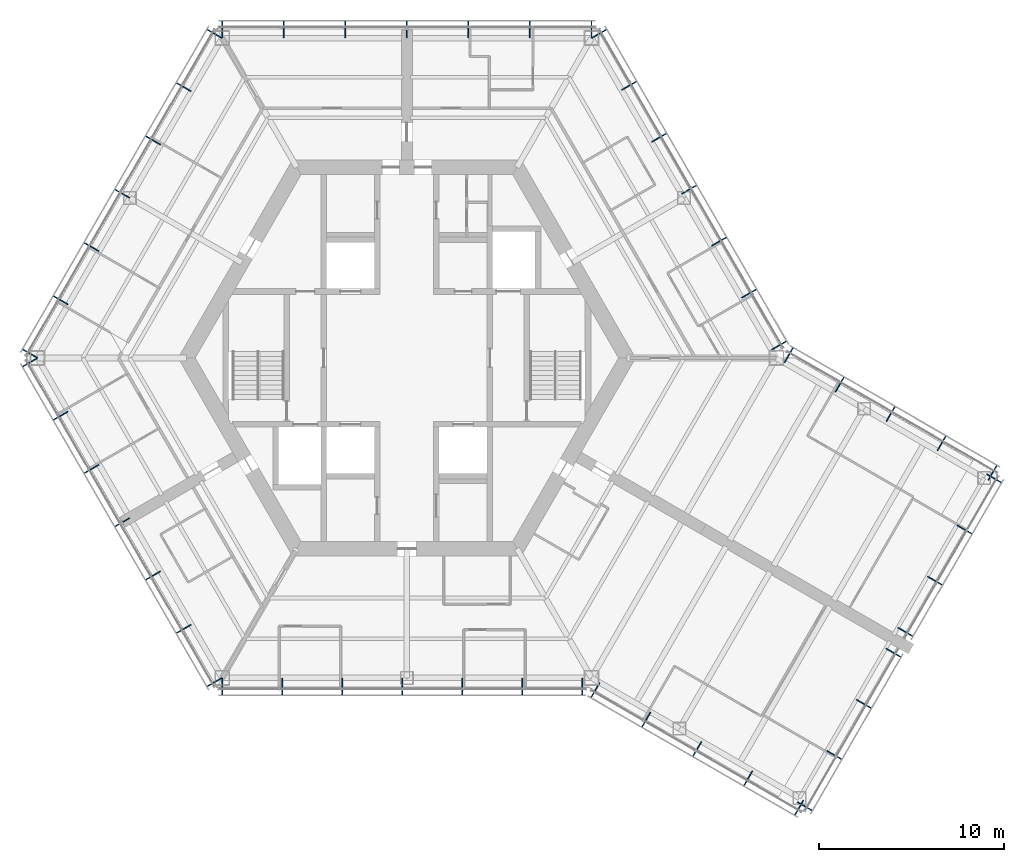
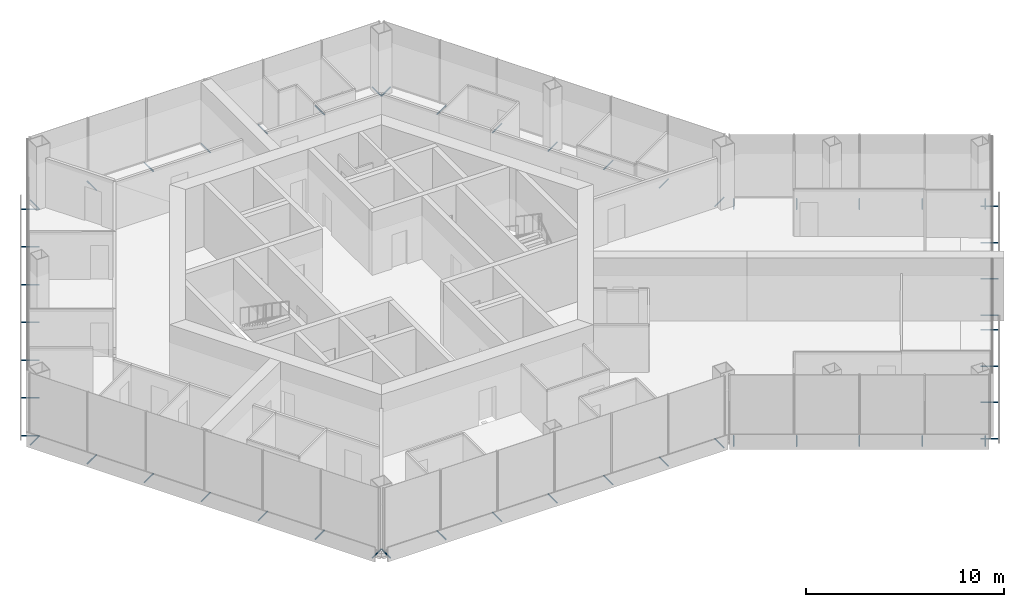
# One storey, part 15 of 17: 53 discrete accessories.
"""IFC4 building model written with IfcOpenShell, lengths in metres."""

import ifcopenshell
import ifcopenshell.guid

model = None  # the IFC model being written
_history = None  # IfcOwnerHistory: only IFC2X3 demands one
_inside = {}  # id of a spatial element -> (the spatial element, [elements in it])
_under = {}  # id of a project, library or spatial element -> (it, [spatial elements below it])
_declared = {}  # id of a project -> (the project, [libraries it declares])
_typed = {}  # id of a type object -> (the type object, [elements of that type])
_made_of = {}  # id of a material, layer set ... -> (it, [elements and type objects made of it])


def new_model(schema):
    """Start an empty IFC model of exactly this schema.

    Asked for "IFC4X3", IfcOpenShell would pick the latest addendum, in which some entities
    have other attributes; the version numbers below select the first issue.
    IFC2X3 requires an IfcOwnerHistory on every rooted entity: one is made here for all.
    """
    global model, _history
    if schema == "IFC4X3":
        model = ifcopenshell.file(schema_version=(4, 3, 0, 0))
    else:
        model = ifcopenshell.file(schema=schema)
    _inside.clear()
    _under.clear()
    _declared.clear()
    _typed.clear()
    _made_of.clear()
    _history = None
    if model.schema == "IFC2X3":
        org = make("IfcOrganization", Name="unknown")
        user = make(
            "IfcPersonAndOrganization",
            ThePerson=make("IfcPerson", FamilyName="unknown"),
            TheOrganization=org,
        )
        app = make(
            "IfcApplication",
            ApplicationDeveloper=org,
            Version="unknown",
            ApplicationFullName="unknown",
            ApplicationIdentifier="unknown",
        )
        _history = make(
            "IfcOwnerHistory",
            OwningUser=user,
            OwningApplication=app,
            ChangeAction="ADDED",
            CreationDate=0,
        )
    return model


def make(cls, **values):
    """One entity of the class cls with the attributes given. An attribute that is None is left unset."""
    return model.create_entity(
        cls, **{name: value for name, value in values.items() if value is not None}
    )


def rooted(cls, **values):
    """An entity with a GlobalId (a new one), such as an element, a storey or a relation."""
    return make(cls, GlobalId=ifcopenshell.guid.new(), OwnerHistory=_history, **values)


def si_unit(unit_type, name, prefix=None):
    """IfcSIUnit, for example si_unit("LENGTHUNIT", "METRE", prefix="MILLI")."""
    return make("IfcSIUnit", UnitType=unit_type, Prefix=prefix, Name=name)


def assignment(units):
    """IfcUnitAssignment: the units of a project."""
    return None if units is None else make("IfcUnitAssignment", Units=units)


def point(xyz):
    """IfcCartesianPoint."""
    return None if xyz is None else make("IfcCartesianPoint", Coordinates=xyz)


def direction(xyz):
    """IfcDirection."""
    return None if xyz is None else make("IfcDirection", DirectionRatios=xyz)


def frame(location, z_axis=None, x_axis=None):
    """IfcAxis2Placement3D, a coordinate frame: its origin and axes. An axis left out is left unset."""
    return make(
        "IfcAxis2Placement3D",
        Location=point(location),
        Axis=direction(z_axis),
        RefDirection=direction(x_axis),
    )


def frame_2d(location, x_axis=None):
    """IfcAxis2Placement2D, a coordinate frame in the plane: its origin and x axis."""
    return make(
        "IfcAxis2Placement2D", Location=point(location), RefDirection=direction(x_axis)
    )


def origin():
    """The frame at (0, 0, 0) with its axes left unset."""
    return frame((0.0, 0.0, 0.0))


def origin_2d():
    """The frame at (0, 0) in the plane with its x axis left unset."""
    return frame_2d((0.0, 0.0))


def place(relative_to, where):
    """IfcLocalPlacement: puts the frame where relative to a parent placement (None: the world)."""
    return make(
        "IfcLocalPlacement", PlacementRelTo=relative_to, RelativePlacement=where
    )


def context(
    kind, dimensions, precision=None, world=None, true_north=None, identifier=None
):
    """IfcGeometricRepresentationContext, for example the 3D "Model" context."""
    return make(
        "IfcGeometricRepresentationContext",
        ContextIdentifier=identifier,
        ContextType=kind,
        CoordinateSpaceDimension=dimensions,
        Precision=precision,
        WorldCoordinateSystem=world,
        TrueNorth=true_north,
    )


def subcontext(parent, identifier, kind, view, scale=None):
    """IfcGeometricRepresentationSubContext, for example "Body" below "Model"."""
    return make(
        "IfcGeometricRepresentationSubContext",
        ContextIdentifier=identifier,
        ContextType=kind,
        ParentContext=parent,
        TargetScale=scale,
        TargetView=view,
    )


def project(units=None, contexts=None):
    """IfcProject with its units and contexts."""
    return rooted(
        "IfcProject",
        Name="project",
        RepresentationContexts=contexts,
        UnitsInContext=assignment(units),
    )


def spatial(cls, under=None, at=None, **own):
    """A site, building, storey or space (cls), placed at a placement, below another one or the project."""
    s = rooted(cls, ObjectPlacement=at, **own)
    if under is not None:
        _under.setdefault(under.id(), (under, []))[1].append(s)
    return s


def profile(cls, at=None, kind="AREA", **sizes):
    """A parametric profile (cls). Its sizes go by their IFC names, for example OverallWidth=200.0."""
    return make(cls, ProfileType=kind, Position=at, **sizes)


def hollow_circle(**sizes):
    """IfcCircleHollowProfileDef."""
    return profile("IfcCircleHollowProfileDef", **sizes)


def extrude(swept, where, along, depth):
    """IfcExtrudedAreaSolid: the profile swept, set in the frame where, extruded along a direction by depth."""
    return make(
        "IfcExtrudedAreaSolid",
        SweptArea=swept,
        Position=where,
        ExtrudedDirection=direction(along),
        Depth=depth,
    )


def shape(context_of_items, identifier, shape_type, items):
    """IfcShapeRepresentation: the items that make up one representation, for example the "Body"."""
    return make(
        "IfcShapeRepresentation",
        ContextOfItems=context_of_items,
        RepresentationIdentifier=identifier,
        RepresentationType=shape_type,
        Items=items,
    )


def material(Name=None, Category=None):
    """IfcMaterial."""
    return make("IfcMaterial", Name=Name, Category=Category)


def material_profile(
    of_material, cross_section, Name=None, Category=None, Priority=None
):
    """IfcMaterialProfile: a cross section and its material."""
    return make(
        "IfcMaterialProfile",
        Name=Name,
        Material=of_material,
        Profile=cross_section,
        Priority=Priority,
        Category=Category,
    )


def profile_set(profiles, Name=None, composite=None):
    """IfcMaterialProfileSet."""
    return make(
        "IfcMaterialProfileSet",
        Name=Name,
        MaterialProfiles=profiles,
        CompositeProfile=composite,
    )


def made_of(thing, what):
    """Note that an element or type object is made of a material, layer set ...; save() writes the relation."""
    if what is not None:
        _made_of.setdefault(what.id(), (what, []))[1].append(thing)
    return thing


def type_object(cls, material=None, **own):
    """A type object (cls), such as IfcWallType, which elements share."""
    return made_of(rooted(cls, **own), material)


def element(
    cls,
    number,
    at=None,
    inside=None,
    cuts=None,
    type_object=None,
    material=None,
    context=None,
    identifier="Body",
    shape_type=None,
    held_by="IfcProductDefinitionShape",
    body=None,
    shapes=None,
    **own,
):
    """One element of the class cls, such as IfcWall. Its Tag is "e" and its number.

    at: its placement. inside: the storey or other place that contains it. cuts: it is an
    opening in that element (IfcRelVoidsElement). A single representation is given by context,
    identifier, shape_type and body (its items); several are given by shapes. held_by: the class
    of the entity that holds the representations. save() writes the other relations.
    """
    e = rooted(cls, Tag="e%d" % number, ObjectPlacement=at, **own)
    if body is not None:
        shapes = [shape(context, identifier, shape_type, body)]
    if shapes is not None:
        e.Representation = make(held_by, Representations=shapes)
    if inside is not None:
        _inside.setdefault(inside.id(), (inside, []))[1].append(e)
    if cuts is not None:
        rooted(
            "IfcRelVoidsElement", RelatingBuildingElement=cuts, RelatedOpeningElement=e
        )
    if type_object is not None:
        _typed.setdefault(type_object.id(), (type_object, []))[1].append(e)
    return made_of(e, material)


def aggregate(whole, parts):
    """IfcRelAggregates: a whole, such as a stair, and the parts it consists of."""
    return rooted("IfcRelAggregates", RelatingObject=whole, RelatedObjects=parts)


def save(model, path):
    """Write the relations noted so far, then the file.

    IfcRelAggregates (storeys below a building ...), IfcRelContainedInSpatialStructure (elements
    in a storey), IfcRelDefinesByType, IfcRelAssociatesMaterial and IfcRelDeclares: one each for
    every whole, place, type object, material and project.
    """
    for whole, parts in _under.values():
        aggregate(whole, parts)
    for where, things in _inside.values():
        rooted(
            "IfcRelContainedInSpatialStructure",
            RelatedElements=things,
            RelatingStructure=where,
        )
    for kind, things in _typed.values():
        rooted("IfcRelDefinesByType", RelatedObjects=things, RelatingType=kind)
    for what, things in _made_of.values():
        rooted("IfcRelAssociatesMaterial", RelatedObjects=things, RelatingMaterial=what)
    for by, libraries in _declared.values():
        rooted("IfcRelDeclares", RelatingContext=by, RelatedDefinitions=libraries)
    model.write(path)


model = new_model("IFC4")

# Units and contexts
model_context = context("Model", 3, precision=1e-05, world=origin(), true_north=direction((0.0, 1.0)))
body_context = subcontext(model_context, "Body", "Model", "MODEL_VIEW")
ifc_project = project(units=[si_unit("LENGTHUNIT", "METRE"), si_unit("AREAUNIT", "SQUARE_METRE"), si_unit("VOLUMEUNIT", "CUBIC_METRE"), si_unit("PLANEANGLEUNIT", "RADIAN"), si_unit("MASSUNIT", "GRAM", prefix="KILO")], contexts=[model_context])

# Site, building, storey
site_placement = place(None, origin())
site = spatial("IfcSite", under=ifc_project, at=site_placement, CompositionType="ELEMENT")
building_placement = place(site_placement, origin())
building = spatial("IfcBuilding", under=site, at=building_placement, Name="Kasaneha Research Tower", CompositionType="ELEMENT")
storey_placement = place(building_placement, frame((0.0, 0.0, 228.39990234375)))
storey = spatial("IfcBuildingStorey", under=building, at=storey_placement, Name="L57", CompositionType="ELEMENT", Elevation=228.39990234375)

# Discrete accessories
ifc_material = material(Name="Steel STK400", Category="steel")
ifc_material_profile = material_profile(ifc_material, hollow_circle(Radius=0.0380859375, WallThickness=0.00390625, at=origin_2d()), Name="CHS-76.3x4.0")
ifc_profile_set = profile_set([ifc_material_profile], Name="Steel STK400")
discrete_accessory_type = type_object("IfcDiscreteAccessoryType", Name="Screen bracket CHS-76.3x4.0", PredefinedType="BRACKET", material=ifc_profile_set)
for number, where, z_axis, x_axis, name in (
    (1, (19.74462890625, 0.4423828125, -0.2998046875), (0.866013213425, 0.500021113727, 0.0), (-0.500021113727, 0.866013213425, 0.0), "Screen bracket 1"),
    (2, (18.120849609375, 3.2548828125, -0.2998046875), (0.866013213425, 0.500021113727, 0.0), (-0.500021113727, 0.866013213425, 0.0), "Screen bracket 2"),
    (3, (16.4970703125, 6.0673828125, -0.2998046875), (0.866013213425, 0.500021113727, 0.0), (-0.500021113727, 0.866013213425, 0.0), "Screen bracket 3"),
    (4, (14.873291015625, 8.8798828125, -0.2998046875), (0.866013213425, 0.500021113727, 0.0), (-0.500021113727, 0.866013213425, 0.0), "Screen bracket 4"),
    (5, (13.24951171875, 11.6923828125, -0.2998046875), (0.866013213425, 0.500021113727, 0.0), (-0.500021113727, 0.866013213425, 0.0), "Screen bracket 5"),
):
    element("IfcDiscreteAccessory", number, at=place(storey_placement, frame(where, z_axis=z_axis, x_axis=x_axis)), inside=storey, type_object=discrete_accessory_type, Name=name, PredefinedType="BRACKET", context=body_context, shape_type="SweptSolid", body=[
        extrude(hollow_circle(Radius=0.0380859375, WallThickness=0.00390625, at=origin_2d()), origin(), (0.0, 0.0, 1.0), 0.919921875),
    ])
for number, where, z_axis, x_axis, name in (
    (6, (11.62548828125, 14.5048828125, -0.2998046875), (0.866079547155, 0.499906209203, 0.0), (-0.499906209203, 0.866079547155, 0.0), "Screen bracket 6"),
    (7, (10.001708984375, 17.3173828125, -0.2998046875), (0.866079547155, 0.499906209203, 0.0), (-0.499906209203, 0.866079547155, 0.0), "Screen bracket 7"),
):
    element("IfcDiscreteAccessory", number, at=place(storey_placement, frame(where, z_axis=z_axis, x_axis=x_axis)), inside=storey, type_object=discrete_accessory_type, Name=name, PredefinedType="BRACKET", context=body_context, shape_type="SweptSolid", body=[
        extrude(hollow_circle(Radius=0.0380859375, WallThickness=0.00390625, at=origin_2d()), origin(), (0.0, 0.0, 1.0), 0.920166015625),
    ])
for number, where, z_axis, x_axis, name in (
    (8, (9.996337890625, 17.320556640625, -0.2998046875), (0.0, 1.0, 0.0), (-1.0, 0.0, 0.0), "Screen bracket 1"),
    (9, (6.664306640625, 17.320556640625, -0.2998046875), (0.0, 1.0, 0.0), (-1.0, 0.0, 0.0), "Screen bracket 2"),
    (10, (3.33203125, 17.320556640625, -0.2998046875), (0.0, 1.0, 0.0), (-1.0, 0.0, 0.0), "Screen bracket 3"),
    (11, (0.0, 17.320556640625, -0.2998046875), (0.0, 1.0, 0.0), (-1.0, 0.0, 0.0), "Screen bracket 4"),
    (12, (-3.33203125, 17.320556640625, -0.2998046875), (0.0, 1.0, 0.0), (-1.0, 0.0, 0.0), "Screen bracket 5"),
    (13, (-6.664306640625, 17.320556640625, -0.2998046875), (0.0, 1.0, 0.0), (-1.0, 0.0, 0.0), "Screen bracket 6"),
    (14, (-9.996337890625, 17.320556640625, -0.2998046875), (0.0, 1.0, 0.0), (-1.0, 0.0, 0.0), "Screen bracket 7"),
):
    element("IfcDiscreteAccessory", number, at=place(storey_placement, frame(where, z_axis=z_axis, x_axis=x_axis)), inside=storey, type_object=discrete_accessory_type, Name=name, PredefinedType="BRACKET", context=body_context, shape_type="SweptSolid", body=[
        extrude(hollow_circle(Radius=0.0380859375, WallThickness=0.00390625, at=origin_2d()), origin(), (0.0, 0.0, 1.0), 0.919921875),
    ])
discrete_accessory_1_placement = place(storey_placement, frame((-10.001708984375, 17.3173828125, -0.2998046875), z_axis=(-0.866079547155, 0.499906209203, 0.0), x_axis=(-0.499906209203, -0.866079547155, 0.0)))
element("IfcDiscreteAccessory", 15, at=discrete_accessory_1_placement, inside=storey, type_object=discrete_accessory_type, Name="Screen bracket 1", PredefinedType="BRACKET", context=body_context, shape_type="SweptSolid", body=[
    extrude(hollow_circle(Radius=0.0380859375, WallThickness=0.00390625, at=origin_2d()), origin(), (0.0, 0.0, 1.0), 0.920166015625),
])
for number, where, z_axis, x_axis, name in (
    (16, (-11.66796875, 14.431640625, -0.2998046875), (-0.866013213425, 0.500021113727, 0.0), (-0.500021113727, -0.866013213425, 0.0), "Screen bracket 2"),
    (17, (-13.333984375, 11.5458984375, -0.2998046875), (-0.866013213425, 0.500021113727, 0.0), (-0.500021113727, -0.866013213425, 0.0), "Screen bracket 3"),
    (18, (-15.0, 8.66015625, -0.2998046875), (-0.865898279276, 0.500220121494, 0.0), (-0.500220121494, -0.865898279276, 0.0), "Screen bracket 4"),
):
    element("IfcDiscreteAccessory", number, at=place(storey_placement, frame(where, z_axis=z_axis, x_axis=x_axis)), inside=storey, type_object=discrete_accessory_type, Name=name, PredefinedType="BRACKET", context=body_context, shape_type="SweptSolid", body=[
        extrude(hollow_circle(Radius=0.0380859375, WallThickness=0.00390625, at=origin_2d()), origin(), (0.0, 0.0, 1.0), 0.919921875),
    ])
for number, where, z_axis, x_axis, name in (
    (19, (-16.666015625, 5.774658203125, -0.2998046875), (-0.866079547155, 0.499906209203, 0.0), (-0.499906209203, -0.866079547155, 0.0), "Screen bracket 5"),
    (20, (-18.33203125, 2.888916015625, -0.2998046875), (-0.866079547155, 0.499906209203, 0.0), (-0.499906209203, -0.866079547155, 0.0), "Screen bracket 6"),
):
    element("IfcDiscreteAccessory", number, at=place(storey_placement, frame(where, z_axis=z_axis, x_axis=x_axis)), inside=storey, type_object=discrete_accessory_type, Name=name, PredefinedType="BRACKET", context=body_context, shape_type="SweptSolid", body=[
        extrude(hollow_circle(Radius=0.0380859375, WallThickness=0.00390625, at=origin_2d()), origin(), (0.0, 0.0, 1.0), 0.920166015625),
    ])
for number, where, z_axis, x_axis, name in (
    (21, (-19.998291015625, 0.003173828125, -0.2998046875), (-0.866013213425, 0.500021113727, 0.0), (-0.500021113727, -0.866013213425, 0.0), "Screen bracket 7"),
    (22, (-19.998291015625, -0.003173828125, -0.2998046875), (-0.866013213425, -0.500021113727, 0.0), (0.500021113727, -0.866013213425, 0.0), "Screen bracket 1"),
):
    element("IfcDiscreteAccessory", number, at=place(storey_placement, frame(where, z_axis=z_axis, x_axis=x_axis)), inside=storey, type_object=discrete_accessory_type, Name=name, PredefinedType="BRACKET", context=body_context, shape_type="SweptSolid", body=[
        extrude(hollow_circle(Radius=0.0380859375, WallThickness=0.00390625, at=origin_2d()), origin(), (0.0, 0.0, 1.0), 0.919921875),
    ])
for number, where, z_axis, x_axis, name in (
    (23, (-18.33203125, -2.888916015625, -0.2998046875), (-0.866079547155, -0.499906209203, 0.0), (0.499906209203, -0.866079547155, 0.0), "Screen bracket 2"),
    (24, (-16.666015625, -5.774658203125, -0.2998046875), (-0.866079547155, -0.499906209203, 0.0), (0.499906209203, -0.866079547155, 0.0), "Screen bracket 3"),
):
    element("IfcDiscreteAccessory", number, at=place(storey_placement, frame(where, z_axis=z_axis, x_axis=x_axis)), inside=storey, type_object=discrete_accessory_type, Name=name, PredefinedType="BRACKET", context=body_context, shape_type="SweptSolid", body=[
        extrude(hollow_circle(Radius=0.0380859375, WallThickness=0.00390625, at=origin_2d()), origin(), (0.0, 0.0, 1.0), 0.920166015625),
    ])
for number, where, z_axis, x_axis, name in (
    (25, (-15.0, -8.66015625, -0.2998046875), (-0.865898279276, -0.500220121494, 0.0), (0.500220121494, -0.865898279276, 0.0), "Screen bracket 4"),
    (26, (-13.333984375, -11.5458984375, -0.2998046875), (-0.866013213425, -0.500021113727, 0.0), (0.500021113727, -0.866013213425, 0.0), "Screen bracket 5"),
    (27, (-11.66796875, -14.431640625, -0.2998046875), (-0.866013213425, -0.500021113727, 0.0), (0.500021113727, -0.866013213425, 0.0), "Screen bracket 6"),
):
    element("IfcDiscreteAccessory", number, at=place(storey_placement, frame(where, z_axis=z_axis, x_axis=x_axis)), inside=storey, type_object=discrete_accessory_type, Name=name, PredefinedType="BRACKET", context=body_context, shape_type="SweptSolid", body=[
        extrude(hollow_circle(Radius=0.0380859375, WallThickness=0.00390625, at=origin_2d()), origin(), (0.0, 0.0, 1.0), 0.919921875),
    ])
discrete_accessory_2_placement = place(storey_placement, frame((-10.001708984375, -17.3173828125, -0.2998046875), z_axis=(-0.866079547155, -0.499906209203, 0.0), x_axis=(0.499906209203, -0.866079547155, 0.0)))
element("IfcDiscreteAccessory", 28, at=discrete_accessory_2_placement, inside=storey, type_object=discrete_accessory_type, Name="Screen bracket 7", PredefinedType="BRACKET", context=body_context, shape_type="SweptSolid", body=[
    extrude(hollow_circle(Radius=0.0380859375, WallThickness=0.00390625, at=origin_2d()), origin(), (0.0, 0.0, 1.0), 0.920166015625),
])
for number, where, z_axis, x_axis, name in (
    (29, (-9.996337890625, -17.320556640625, -0.2998046875), (0.0, -1.0, 0.0), (1.0, 0.0, 0.0), "Screen bracket 1"),
    (30, (-6.748779296875, -17.320556640625, -0.2998046875), (0.0, -1.0, 0.0), (1.0, 0.0, 0.0), "Screen bracket 2"),
    (31, (-3.501220703125, -17.320556640625, -0.2998046875), (0.0, -1.0, 0.0), (1.0, 0.0, 0.0), "Screen bracket 3"),
    (32, (-0.253662109375, -17.320556640625, -0.2998046875), (0.0, -1.0, 0.0), (1.0, 0.0, 0.0), "Screen bracket 4"),
    (33, (2.993896484375, -17.320556640625, -0.2998046875), (0.0, -1.0, 0.0), (1.0, 0.0, 0.0), "Screen bracket 5"),
    (34, (6.24169921875, -17.320556640625, -0.2998046875), (0.0, -1.0, 0.0), (1.0, 0.0, 0.0), "Screen bracket 6"),
    (35, (9.4892578125, -17.320556640625, -0.2998046875), (0.0, -1.0, 0.0), (1.0, 0.0, 0.0), "Screen bracket 7"),
    (36, (10.4423828125, -17.575927734375, -0.2998046875), (-0.500021113727, -0.866013213425, 0.0), (0.866013213425, -0.500021113727, 0.0), "Screen bracket 1"),
):
    element("IfcDiscreteAccessory", number, at=place(storey_placement, frame(where, z_axis=z_axis, x_axis=x_axis)), inside=storey, type_object=discrete_accessory_type, Name=name, PredefinedType="BRACKET", context=body_context, shape_type="SweptSolid", body=[
        extrude(hollow_circle(Radius=0.0380859375, WallThickness=0.00390625, at=origin_2d()), origin(), (0.0, 0.0, 1.0), 0.919921875),
    ])
discrete_accessory_3_placement = place(storey_placement, frame((13.200439453125, -19.168212890625, -0.2998046875), z_axis=(-0.499906209203, -0.866079547155, 0.0), x_axis=(0.866079547155, -0.499906209203, 0.0)))
element("IfcDiscreteAccessory", 37, at=discrete_accessory_3_placement, inside=storey, type_object=discrete_accessory_type, Name="Screen bracket 2", PredefinedType="BRACKET", context=body_context, shape_type="SweptSolid", body=[
    extrude(hollow_circle(Radius=0.0380859375, WallThickness=0.00390625, at=origin_2d()), origin(), (0.0, 0.0, 1.0), 0.920166015625),
])
discrete_accessory_4_placement = place(storey_placement, frame((15.95849609375, -20.7607421875, -0.2998046875), z_axis=(-0.500021113727, -0.866013213425, 0.0), x_axis=(0.866013213425, -0.500021113727, 0.0)))
element("IfcDiscreteAccessory", 38, at=discrete_accessory_4_placement, inside=storey, type_object=discrete_accessory_type, Name="Screen bracket 3", PredefinedType="BRACKET", context=body_context, shape_type="SweptSolid", body=[
    extrude(hollow_circle(Radius=0.0380859375, WallThickness=0.00390625, at=origin_2d()), origin(), (0.0, 0.0, 1.0), 0.919921875),
])
discrete_accessory_5_placement = place(storey_placement, frame((18.716796875, -22.35302734375, -0.2998046875), z_axis=(-0.500105201737, -0.865964657013, 0.0), x_axis=(0.865964657013, -0.500105201737, 0.0)))
element("IfcDiscreteAccessory", 39, at=discrete_accessory_5_placement, inside=storey, type_object=discrete_accessory_type, Name="Screen bracket 4", PredefinedType="BRACKET", context=body_context, shape_type="SweptSolid", body=[
    extrude(hollow_circle(Radius=0.0380859375, WallThickness=0.00390625, at=origin_2d()), origin(), (0.0, 0.0, 1.0), 0.920166015625),
])
discrete_accessory_6_placement = place(storey_placement, frame((21.474853515625, -23.945556640625, -0.2998046875), z_axis=(-0.500021113727, -0.866013213425, 0.0), x_axis=(0.866013213425, -0.500021113727, 0.0)))
element("IfcDiscreteAccessory", 40, at=discrete_accessory_6_placement, inside=storey, type_object=discrete_accessory_type, Name="Screen bracket 5", PredefinedType="BRACKET", context=body_context, shape_type="SweptSolid", body=[
    extrude(hollow_circle(Radius=0.0380859375, WallThickness=0.00390625, at=origin_2d()), origin(), (0.0, 0.0, 1.0), 0.919921875),
])
discrete_accessory_7_placement = place(storey_placement, frame((21.13330078125, -24.037109375, -0.2998046875), z_axis=(0.866079547155, -0.499906209203, 0.0), x_axis=(0.499906209203, 0.866079547155, 0.0)))
element("IfcDiscreteAccessory", 41, at=discrete_accessory_7_placement, inside=storey, type_object=discrete_accessory_type, Name="Screen bracket 1", PredefinedType="BRACKET", context=body_context, shape_type="SweptSolid", body=[
    extrude(hollow_circle(Radius=0.0380859375, WallThickness=0.00390625, at=origin_2d()), origin(), (0.0, 0.0, 1.0), 0.920166015625),
])
discrete_accessory_8_placement = place(storey_placement, frame((22.7333984375, -21.265625, -0.2998046875), z_axis=(0.865898279276, -0.500220121494, 0.0), x_axis=(0.500220121494, 0.865898279276, 0.0)))
element("IfcDiscreteAccessory", 42, at=discrete_accessory_8_placement, inside=storey, type_object=discrete_accessory_type, Name="Screen bracket 2", PredefinedType="BRACKET", context=body_context, shape_type="SweptSolid", body=[
    extrude(hollow_circle(Radius=0.0380859375, WallThickness=0.00390625, at=origin_2d()), origin(), (0.0, 0.0, 1.0), 0.919921875),
])
discrete_accessory_9_placement = place(storey_placement, frame((24.333251953125, -18.494384765625, -0.2998046875), z_axis=(0.866079547155, -0.499906209203, 0.0), x_axis=(0.499906209203, 0.866079547155, 0.0)))
element("IfcDiscreteAccessory", 43, at=discrete_accessory_9_placement, inside=storey, type_object=discrete_accessory_type, Name="Screen bracket 3", PredefinedType="BRACKET", context=body_context, shape_type="SweptSolid", body=[
    extrude(hollow_circle(Radius=0.0380859375, WallThickness=0.00390625, at=origin_2d()), origin(), (0.0, 0.0, 1.0), 0.920166015625),
])
discrete_accessory_10_placement = place(storey_placement, frame((25.933349609375, -15.72314453125, -0.2998046875), z_axis=(0.866013213425, -0.500021113727, 0.0), x_axis=(0.500021113727, 0.866013213425, 0.0)))
element("IfcDiscreteAccessory", 44, at=discrete_accessory_10_placement, inside=storey, type_object=discrete_accessory_type, Name="Screen bracket 4", PredefinedType="BRACKET", context=body_context, shape_type="SweptSolid", body=[
    extrude(hollow_circle(Radius=0.0380859375, WallThickness=0.00390625, at=origin_2d()), origin(), (0.0, 0.0, 1.0), 0.919921875),
])
discrete_accessory_11_placement = place(storey_placement, frame((26.583251953125, -14.597412109375, -0.2998046875), z_axis=(0.866079547155, -0.499906209203, 0.0), x_axis=(0.499906209203, 0.866079547155, 0.0)))
element("IfcDiscreteAccessory", 45, at=discrete_accessory_11_placement, inside=storey, type_object=discrete_accessory_type, Name="Screen bracket 1", PredefinedType="BRACKET", context=body_context, shape_type="SweptSolid", body=[
    extrude(hollow_circle(Radius=0.0380859375, WallThickness=0.00390625, at=origin_2d()), origin(), (0.0, 0.0, 1.0), 0.920166015625),
])
for number, where, z_axis, x_axis, name in (
    (46, (28.183349609375, -11.826171875, -0.2998046875), (0.866013213425, -0.500021113727, 0.0), (0.500021113727, 0.866013213425, 0.0), "Screen bracket 2"),
    (47, (29.783447265625, -9.0546875, -0.2998046875), (0.865898279276, -0.500220121494, 0.0), (0.500220121494, 0.865898279276, 0.0), "Screen bracket 3"),
):
    element("IfcDiscreteAccessory", number, at=place(storey_placement, frame(where, z_axis=z_axis, x_axis=x_axis)), inside=storey, type_object=discrete_accessory_type, Name=name, PredefinedType="BRACKET", context=body_context, shape_type="SweptSolid", body=[
        extrude(hollow_circle(Radius=0.0380859375, WallThickness=0.00390625, at=origin_2d()), origin(), (0.0, 0.0, 1.0), 0.919921875),
    ])
discrete_accessory_12_placement = place(storey_placement, frame((31.38330078125, -6.283447265625, -0.2998046875), z_axis=(0.866079547155, -0.499906209203, 0.0), x_axis=(0.499906209203, 0.866079547155, 0.0)))
element("IfcDiscreteAccessory", 48, at=discrete_accessory_12_placement, inside=storey, type_object=discrete_accessory_type, Name="Screen bracket 4", PredefinedType="BRACKET", context=body_context, shape_type="SweptSolid", body=[
    extrude(hollow_circle(Radius=0.0380859375, WallThickness=0.00390625, at=origin_2d()), origin(), (0.0, 0.0, 1.0), 0.920166015625),
])
discrete_accessory_13_placement = place(storey_placement, frame((31.474853515625, -6.625, -0.2998046875), z_axis=(0.500021113727, 0.866013213425, 0.0), x_axis=(-0.866013213425, 0.500021113727, 0.0)))
element("IfcDiscreteAccessory", 49, at=discrete_accessory_13_placement, inside=storey, type_object=discrete_accessory_type, Name="Screen bracket 1", PredefinedType="BRACKET", context=body_context, shape_type="SweptSolid", body=[
    extrude(hollow_circle(Radius=0.0380859375, WallThickness=0.00390625, at=origin_2d()), origin(), (0.0, 0.0, 1.0), 0.919921875),
])
discrete_accessory_14_placement = place(storey_placement, frame((28.716796875, -5.03271484375, -0.2998046875), z_axis=(0.499906209203, 0.866079547155, 0.0), x_axis=(-0.866079547155, 0.499906209203, 0.0)))
element("IfcDiscreteAccessory", 50, at=discrete_accessory_14_placement, inside=storey, type_object=discrete_accessory_type, Name="Screen bracket 2", PredefinedType="BRACKET", context=body_context, shape_type="SweptSolid", body=[
    extrude(hollow_circle(Radius=0.0380859375, WallThickness=0.00390625, at=origin_2d()), origin(), (0.0, 0.0, 1.0), 0.920166015625),
])
discrete_accessory_15_placement = place(storey_placement, frame((25.95849609375, -3.440185546875, -0.2998046875), z_axis=(0.500220121494, 0.865898279276, 0.0), x_axis=(-0.865898279276, 0.500220121494, 0.0)))
element("IfcDiscreteAccessory", 51, at=discrete_accessory_15_placement, inside=storey, type_object=discrete_accessory_type, Name="Screen bracket 3", PredefinedType="BRACKET", context=body_context, shape_type="SweptSolid", body=[
    extrude(hollow_circle(Radius=0.0380859375, WallThickness=0.00390625, at=origin_2d()), origin(), (0.0, 0.0, 1.0), 0.919921875),
])
discrete_accessory_16_placement = place(storey_placement, frame((23.200439453125, -1.847900390625, -0.2998046875), z_axis=(0.499906209203, 0.866079547155, 0.0), x_axis=(-0.866079547155, 0.499906209203, 0.0)))
element("IfcDiscreteAccessory", 52, at=discrete_accessory_16_placement, inside=storey, type_object=discrete_accessory_type, Name="Screen bracket 4", PredefinedType="BRACKET", context=body_context, shape_type="SweptSolid", body=[
    extrude(hollow_circle(Radius=0.0380859375, WallThickness=0.00390625, at=origin_2d()), origin(), (0.0, 0.0, 1.0), 0.920166015625),
])
discrete_accessory_17_placement = place(storey_placement, frame((20.4423828125, -0.25537109375, -0.2998046875), z_axis=(0.500021113727, 0.866013213425, 0.0), x_axis=(-0.866013213425, 0.500021113727, 0.0)))
element("IfcDiscreteAccessory", 53, at=discrete_accessory_17_placement, inside=storey, type_object=discrete_accessory_type, Name="Screen bracket 5", PredefinedType="BRACKET", context=body_context, shape_type="SweptSolid", body=[
    extrude(hollow_circle(Radius=0.0380859375, WallThickness=0.00390625, at=origin_2d()), origin(), (0.0, 0.0, 1.0), 0.919921875),
])

save(model, "model.ifc")
